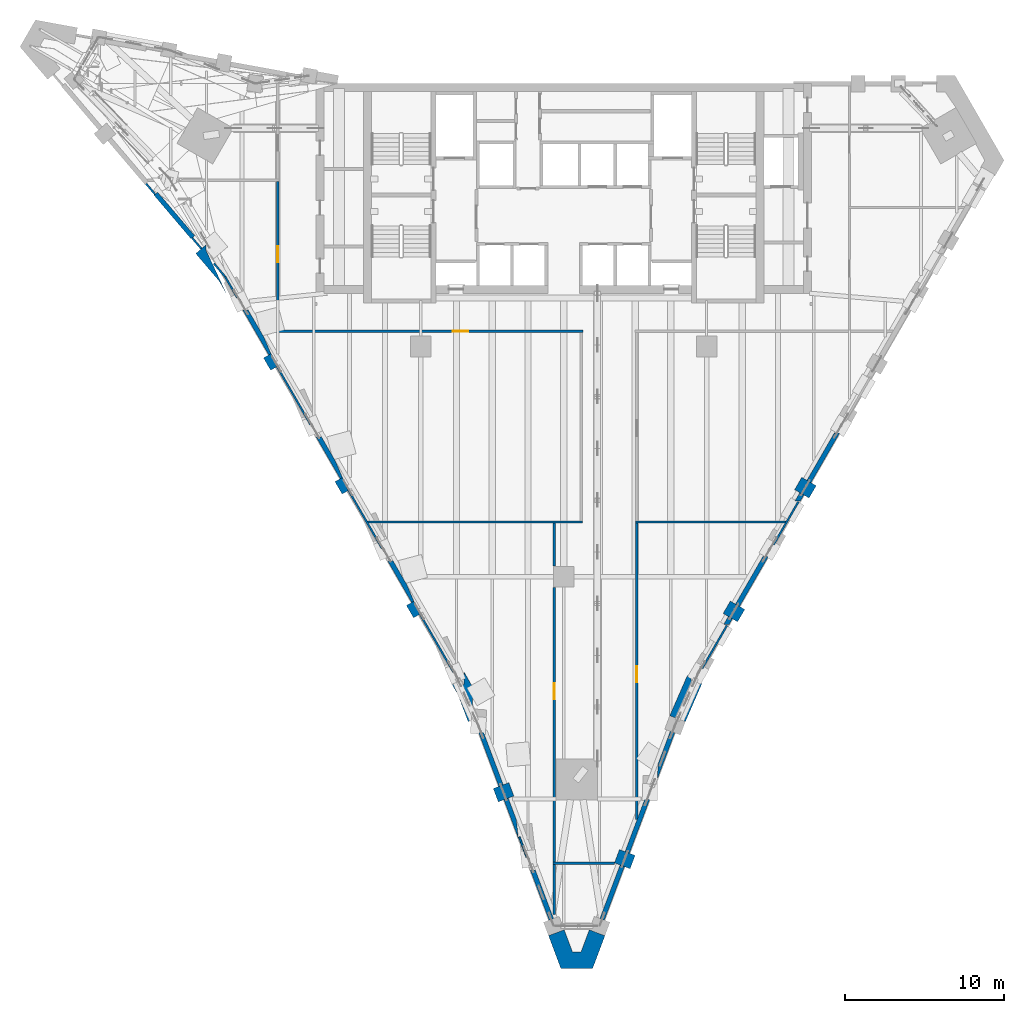
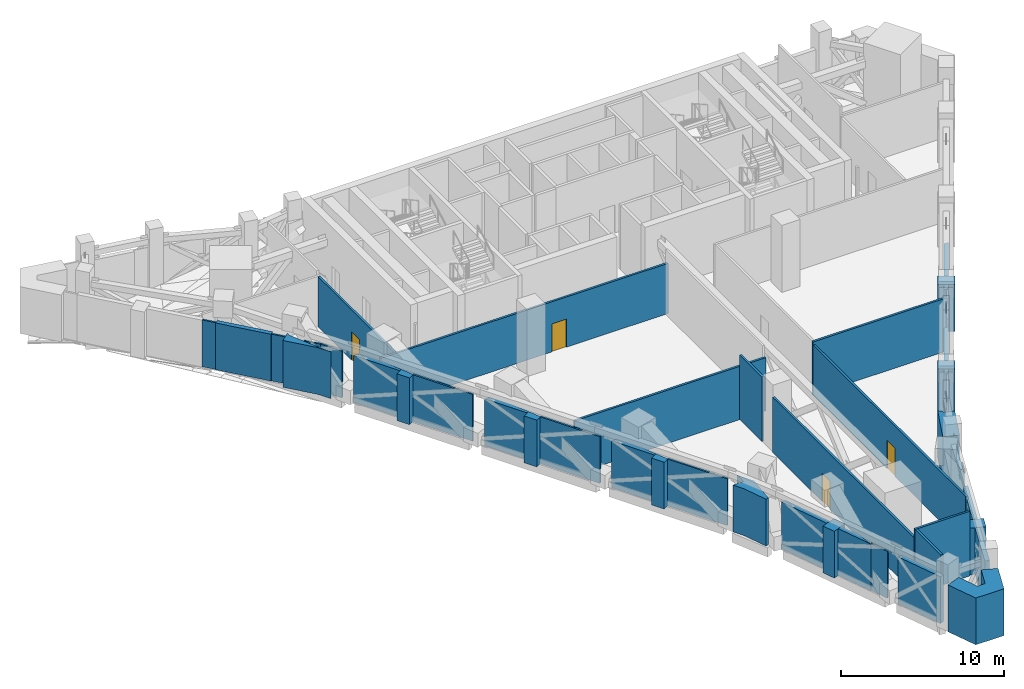
# One storey, part 9 of 22: 44 walls, 4 doors, 4 openings.
"""IFC4 building model written with IfcOpenShell, lengths in metres."""

import ifcopenshell
import ifcopenshell.guid

model = None  # the IFC model being written
_history = None  # IfcOwnerHistory: only IFC2X3 demands one
_inside = {}  # id of a spatial element -> (the spatial element, [elements in it])
_under = {}  # id of a project, library or spatial element -> (it, [spatial elements below it])
_declared = {}  # id of a project -> (the project, [libraries it declares])
_typed = {}  # id of a type object -> (the type object, [elements of that type])
_made_of = {}  # id of a material, layer set ... -> (it, [elements and type objects made of it])


def new_model(schema):
    """Start an empty IFC model of exactly this schema.

    Asked for "IFC4X3", IfcOpenShell would pick the latest addendum, in which some entities
    have other attributes; the version numbers below select the first issue.
    IFC2X3 requires an IfcOwnerHistory on every rooted entity: one is made here for all.
    """
    global model, _history
    if schema == "IFC4X3":
        model = ifcopenshell.file(schema_version=(4, 3, 0, 0))
    else:
        model = ifcopenshell.file(schema=schema)
    _inside.clear()
    _under.clear()
    _declared.clear()
    _typed.clear()
    _made_of.clear()
    _history = None
    if model.schema == "IFC2X3":
        org = make("IfcOrganization", Name="unknown")
        user = make(
            "IfcPersonAndOrganization",
            ThePerson=make("IfcPerson", FamilyName="unknown"),
            TheOrganization=org,
        )
        app = make(
            "IfcApplication",
            ApplicationDeveloper=org,
            Version="unknown",
            ApplicationFullName="unknown",
            ApplicationIdentifier="unknown",
        )
        _history = make(
            "IfcOwnerHistory",
            OwningUser=user,
            OwningApplication=app,
            ChangeAction="ADDED",
            CreationDate=0,
        )
    return model


def make(cls, **values):
    """One entity of the class cls with the attributes given. An attribute that is None is left unset."""
    return model.create_entity(
        cls, **{name: value for name, value in values.items() if value is not None}
    )


def rooted(cls, **values):
    """An entity with a GlobalId (a new one), such as an element, a storey or a relation."""
    return make(cls, GlobalId=ifcopenshell.guid.new(), OwnerHistory=_history, **values)


def si_unit(unit_type, name, prefix=None):
    """IfcSIUnit, for example si_unit("LENGTHUNIT", "METRE", prefix="MILLI")."""
    return make("IfcSIUnit", UnitType=unit_type, Prefix=prefix, Name=name)


def assignment(units):
    """IfcUnitAssignment: the units of a project."""
    return None if units is None else make("IfcUnitAssignment", Units=units)


def point(xyz):
    """IfcCartesianPoint."""
    return None if xyz is None else make("IfcCartesianPoint", Coordinates=xyz)


def direction(xyz):
    """IfcDirection."""
    return None if xyz is None else make("IfcDirection", DirectionRatios=xyz)


def frame(location, z_axis=None, x_axis=None):
    """IfcAxis2Placement3D, a coordinate frame: its origin and axes. An axis left out is left unset."""
    return make(
        "IfcAxis2Placement3D",
        Location=point(location),
        Axis=direction(z_axis),
        RefDirection=direction(x_axis),
    )


def frame_2d(location, x_axis=None):
    """IfcAxis2Placement2D, a coordinate frame in the plane: its origin and x axis."""
    return make(
        "IfcAxis2Placement2D", Location=point(location), RefDirection=direction(x_axis)
    )


def origin():
    """The frame at (0, 0, 0) with its axes left unset."""
    return frame((0.0, 0.0, 0.0))


def place(relative_to, where):
    """IfcLocalPlacement: puts the frame where relative to a parent placement (None: the world)."""
    return make(
        "IfcLocalPlacement", PlacementRelTo=relative_to, RelativePlacement=where
    )


def context(
    kind, dimensions, precision=None, world=None, true_north=None, identifier=None
):
    """IfcGeometricRepresentationContext, for example the 3D "Model" context."""
    return make(
        "IfcGeometricRepresentationContext",
        ContextIdentifier=identifier,
        ContextType=kind,
        CoordinateSpaceDimension=dimensions,
        Precision=precision,
        WorldCoordinateSystem=world,
        TrueNorth=true_north,
    )


def subcontext(parent, identifier, kind, view, scale=None):
    """IfcGeometricRepresentationSubContext, for example "Body" below "Model"."""
    return make(
        "IfcGeometricRepresentationSubContext",
        ContextIdentifier=identifier,
        ContextType=kind,
        ParentContext=parent,
        TargetScale=scale,
        TargetView=view,
    )


def project(units=None, contexts=None):
    """IfcProject with its units and contexts."""
    return rooted(
        "IfcProject",
        Name="project",
        RepresentationContexts=contexts,
        UnitsInContext=assignment(units),
    )


def spatial(cls, under=None, at=None, **own):
    """A site, building, storey or space (cls), placed at a placement, below another one or the project."""
    s = rooted(cls, ObjectPlacement=at, **own)
    if under is not None:
        _under.setdefault(under.id(), (under, []))[1].append(s)
    return s


def polyline(points):
    """IfcPolyline through the points."""
    return make("IfcPolyline", Points=[point(p) for p in points])


def profile(cls, at=None, kind="AREA", **sizes):
    """A parametric profile (cls). Its sizes go by their IFC names, for example OverallWidth=200.0."""
    return make(cls, ProfileType=kind, Position=at, **sizes)


def rectangle(**sizes):
    """IfcRectangleProfileDef."""
    return profile("IfcRectangleProfileDef", **sizes)


def outline(outer, holes=None, kind="AREA"):
    """IfcArbitraryClosedProfileDef: a profile drawn as a closed curve; with holes, ...WithVoids."""
    if holes is None:
        return make("IfcArbitraryClosedProfileDef", ProfileType=kind, OuterCurve=outer)
    return make(
        "IfcArbitraryProfileDefWithVoids",
        ProfileType=kind,
        OuterCurve=outer,
        InnerCurves=holes,
    )


def extrude(swept, where, along, depth):
    """IfcExtrudedAreaSolid: the profile swept, set in the frame where, extruded along a direction by depth."""
    return make(
        "IfcExtrudedAreaSolid",
        SweptArea=swept,
        Position=where,
        ExtrudedDirection=direction(along),
        Depth=depth,
    )


def shape(context_of_items, identifier, shape_type, items):
    """IfcShapeRepresentation: the items that make up one representation, for example the "Body"."""
    return make(
        "IfcShapeRepresentation",
        ContextOfItems=context_of_items,
        RepresentationIdentifier=identifier,
        RepresentationType=shape_type,
        Items=items,
    )


def material(Name=None, Category=None):
    """IfcMaterial."""
    return make("IfcMaterial", Name=Name, Category=Category)


def layer(
    of_material, thickness, ventilated=None, Name=None, Category=None, Priority=None
):
    """IfcMaterialLayer: one layer of a wall or slab, of a material (None: an air gap)."""
    return make(
        "IfcMaterialLayer",
        Material=of_material,
        LayerThickness=thickness,
        IsVentilated=ventilated,
        Name=Name,
        Category=Category,
        Priority=Priority,
    )


def layer_set(layers, Name=None):
    """IfcMaterialLayerSet."""
    return make("IfcMaterialLayerSet", MaterialLayers=layers, LayerSetName=Name)


def made_of(thing, what):
    """Note that an element or type object is made of a material, layer set ...; save() writes the relation."""
    if what is not None:
        _made_of.setdefault(what.id(), (what, []))[1].append(thing)
    return thing


def type_object(cls, material=None, **own):
    """A type object (cls), such as IfcWallType, which elements share."""
    return made_of(rooted(cls, **own), material)


def element(
    cls,
    number,
    at=None,
    inside=None,
    cuts=None,
    type_object=None,
    material=None,
    context=None,
    identifier="Body",
    shape_type=None,
    held_by="IfcProductDefinitionShape",
    body=None,
    shapes=None,
    **own,
):
    """One element of the class cls, such as IfcWall. Its Tag is "e" and its number.

    at: its placement. inside: the storey or other place that contains it. cuts: it is an
    opening in that element (IfcRelVoidsElement). A single representation is given by context,
    identifier, shape_type and body (its items); several are given by shapes. held_by: the class
    of the entity that holds the representations. save() writes the other relations.
    """
    e = rooted(cls, Tag="e%d" % number, ObjectPlacement=at, **own)
    if body is not None:
        shapes = [shape(context, identifier, shape_type, body)]
    if shapes is not None:
        e.Representation = make(held_by, Representations=shapes)
    if inside is not None:
        _inside.setdefault(inside.id(), (inside, []))[1].append(e)
    if cuts is not None:
        rooted(
            "IfcRelVoidsElement", RelatingBuildingElement=cuts, RelatedOpeningElement=e
        )
    if type_object is not None:
        _typed.setdefault(type_object.id(), (type_object, []))[1].append(e)
    return made_of(e, material)


def fill(opening, filler):
    """IfcRelFillsElement: the door or window that sits in an opening."""
    return rooted(
        "IfcRelFillsElement",
        RelatingOpeningElement=opening,
        RelatedBuildingElement=filler,
    )


def aggregate(whole, parts):
    """IfcRelAggregates: a whole, such as a stair, and the parts it consists of."""
    return rooted("IfcRelAggregates", RelatingObject=whole, RelatedObjects=parts)


def save(model, path):
    """Write the relations noted so far, then the file.

    IfcRelAggregates (storeys below a building ...), IfcRelContainedInSpatialStructure (elements
    in a storey), IfcRelDefinesByType, IfcRelAssociatesMaterial and IfcRelDeclares: one each for
    every whole, place, type object, material and project.
    """
    for whole, parts in _under.values():
        aggregate(whole, parts)
    for where, things in _inside.values():
        rooted(
            "IfcRelContainedInSpatialStructure",
            RelatedElements=things,
            RelatingStructure=where,
        )
    for kind, things in _typed.values():
        rooted("IfcRelDefinesByType", RelatedObjects=things, RelatingType=kind)
    for what, things in _made_of.values():
        rooted("IfcRelAssociatesMaterial", RelatedObjects=things, RelatingMaterial=what)
    for by, libraries in _declared.values():
        rooted("IfcRelDeclares", RelatingContext=by, RelatedDefinitions=libraries)
    model.write(path)


model = new_model("IFC4")

# Units and contexts
model_context = context("Model", 3, precision=1e-05, world=origin(), true_north=direction((0.0, 1.0)))
body_context = subcontext(model_context, "Body", "Model", "MODEL_VIEW")
ifc_project = project(units=[si_unit("LENGTHUNIT", "METRE"), si_unit("AREAUNIT", "SQUARE_METRE"), si_unit("VOLUMEUNIT", "CUBIC_METRE"), si_unit("PLANEANGLEUNIT", "RADIAN"), si_unit("MASSUNIT", "GRAM", prefix="KILO")], contexts=[model_context])

# Site, building, storey
site_placement = place(None, origin())
site = spatial("IfcSite", under=ifc_project, at=site_placement, CompositionType="ELEMENT")
building_placement = place(site_placement, origin())
building = spatial("IfcBuilding", under=site, at=building_placement, Name="Calabash Gate Tower", CompositionType="ELEMENT")
storey_placement = place(building_placement, frame((0.0, 0.0, 191.39990234375)))
storey = spatial("IfcBuildingStorey", under=building, at=storey_placement, Name="L45", CompositionType="ELEMENT", Elevation=191.39990234375)

# Walls
ifc_material_1 = material(Name="Terracotta brick masonry, exposed face", Category="masonry")
ifc_layer_1 = layer(ifc_material_1, 1.050048828125)
ifc_layer_set_1 = layer_set([ifc_layer_1], Name="Brick end wall 1050")
wall_type_1 = type_object("IfcWallType", Name="Brick end wall 1050", PredefinedType="SOLIDWALL", material=ifc_layer_set_1)
wall_1_placement = place(storey_placement, origin())
element("IfcWall", 1, at=wall_1_placement, inside=storey, type_object=wall_type_1, Name="Brick pier L45 SW0.1", PredefinedType="SOLIDWALL", context=body_context, shape_type="SweptSolid", body=[
    extrude(outline(polyline([(-18.902587890625, 1.78173828125), (-18.45263671875, 1.002197265625), (-18.073486328125, 1.22119140625), (-18.432373046875, 2.05322265625), (-18.902587890625, 1.78173828125)])), origin(), (0.0, 0.0, 1.0), 3.5),
])
wall_2_placement = place(storey_placement, origin())
element("IfcWall", 2, at=wall_2_placement, inside=storey, type_object=wall_type_1, Name="Brick pier L45 SW0.3", PredefinedType="SOLIDWALL", context=body_context, shape_type="SweptSolid", body=[
    extrude(outline(polyline([(-14.402587890625, -6.0126953125), (-13.95263671875, -6.7919921875), (-13.5732421875, -6.572998046875), (-13.93212890625, -5.740966796875), (-14.402587890625, -6.0126953125)])), origin(), (0.0, 0.0, 1.0), 3.5),
])
wall_3_placement = place(storey_placement, origin())
element("IfcWall", 3, at=wall_3_placement, inside=storey, type_object=wall_type_1, Name="Brick pier L45 SW0.5", PredefinedType="SOLIDWALL", context=body_context, shape_type="SweptSolid", body=[
    extrude(outline(polyline([(-9.902587890625, -13.806884765625), (-9.45263671875, -14.586181640625), (-9.073486328125, -14.3671875), (-9.43212890625, -13.53515625), (-9.902587890625, -13.806884765625)])), origin(), (0.0, 0.0, 1.0), 3.5),
])
for number, where, z_axis, x_axis, name in (
    (4, (-3.294921875, -25.38671875, 0.0), (0.0, 0.0, 1.0), (-0.936080509118, -0.351785844584, 0.0), "Brick pier L45 wedge1.1"),
    (5, (3.35546875, -29.598876953125, 0.0), (0.0, 0.0, 1.0), (0.936003928089, -0.351989554676, 0.0), "Brick pier L45 wedge3.1"),
):
    element("IfcWall", number, at=place(storey_placement, frame(where, z_axis=z_axis, x_axis=x_axis)), inside=storey, type_object=wall_type_1, Name=name, PredefinedType="SOLIDWALL", context=body_context, shape_type="SweptSolid", body=[
        extrude(rectangle(XDim=1.050048828125, YDim=0.89990234375, at=frame_2d((0.52490234375, 0.0))), origin(), (0.0, 0.0, 1.0), 3.5),
    ])
for number, where, z_axis, x_axis, name in (
    (6, (11.17626953125, -14.447509765625, 0.0), (0.0, 0.0, 1.0), (-0.866030680601, 0.499990860175, 0.0), "Brick pier L45 SE4.1"),
    (7, (15.67626953125, -6.6533203125, 0.0), (0.0, 0.0, 1.0), (-0.866030680601, 0.499990860175, 0.0), "Brick pier L45 SE4.3"),
):
    element("IfcWall", number, at=place(storey_placement, frame(where, z_axis=z_axis, x_axis=x_axis)), inside=storey, type_object=wall_type_1, Name=name, PredefinedType="SOLIDWALL", context=body_context, shape_type="SweptSolid", body=[
        extrude(rectangle(XDim=1.0498046875, YDim=0.89990234375, at=frame_2d((0.52490234375, 0.0))), origin(), (0.0, 0.0, 1.0), 3.5),
    ])
wall_4_placement = place(storey_placement, origin())
element("IfcWall", 8, at=wall_4_placement, inside=storey, type_object=wall_type_1, Name="Brick end wall L45 1", PredefinedType="SOLIDWALL", context=body_context, shape_type="SweptSolid", body=[
    extrude(outline(polyline([(-5.67919921875, -19.043212890625), (-6.26708984375, -18.00390625), (-6.26708984375, -18.7890625), (-7.026123046875, -18.7890625), (-6.654296875, -19.432861328125), (-6.019287109375, -21.12255859375), (-5.820068359375, -21.047607421875), (-5.67919921875, -19.043212890625)])), origin(), (0.0, 0.0, 1.0), 3.5),
])
wall_5_placement = place(storey_placement, origin())
element("IfcWall", 9, at=wall_5_placement, inside=storey, type_object=wall_type_1, Name="Brick end wall L45 2", PredefinedType="SOLIDWALL", context=body_context, shape_type="SweptSolid", body=[
    extrude(outline(polyline([(0.02978515625, -34.232421875), (-0.953125, -34.60205078125), (-0.175048828125, -36.67236328125), (1.818603515625, -36.67236328125), (2.596923828125, -34.601806640625), (1.614013671875, -34.232421875), (1.091552734375, -35.622314453125), (0.552001953125, -35.622314453125), (0.02978515625, -34.232421875)])), origin(), (0.0, 0.0, 1.0), 3.5),
])
wall_6_placement = place(storey_placement, origin())
element("IfcWall", 10, at=wall_6_placement, inside=storey, type_object=wall_type_1, Name="Brick end wall L45 3", PredefinedType="SOLIDWALL", context=body_context, shape_type="SweptSolid", body=[
    extrude(outline(polyline([(6.68017578125, -20.753173828125), (7.6630859375, -21.12255859375), (8.701416015625, -18.734375), (8.02197265625, -18.531982421875), (8.02197265625, -18.34228515625), (7.7919921875, -18.20947265625), (6.68017578125, -20.753173828125)])), origin(), (0.0, 0.0, 1.0), 3.5),
])
wall_7_placement = place(storey_placement, origin())
element("IfcWall", 11, at=wall_7_placement, inside=storey, type_object=wall_type_1, Name="Brick end wall L45 7", PredefinedType="SOLIDWALL", context=body_context, shape_type="SweptSolid", body=[
    extrude(outline(polyline([(-22.533935546875, 8.893798828125), (-23.1689453125, 8.35400390625), (-21.69873046875, 6.62451171875), (-21.231689453125, 5.81591796875), (-22.533935546875, 8.5869140625), (-22.533935546875, 8.893798828125)])), origin(), (0.0, 0.0, 1.0), 3.5),
])
ifc_material_2 = material(Name="Gypsum board on steel studs, mineral wool", Category="steel")
ifc_layer_2 = layer(ifc_material_2, 0.14990234375)
ifc_layer_set_2 = layer_set([ifc_layer_2], Name="Partition 150 gypsum board")
wall_type_2 = type_object("IfcWallType", Name="Partition 150 gypsum board", PredefinedType="PARTITIONING", material=ifc_layer_set_2)
wall_8_placement = place(storey_placement, frame((-0.60009765625, -33.271484375, 0.0), z_axis=(0.0, 0.0, 1.0), x_axis=(0.0, 1.0, 0.0)))
element("IfcWall", 12, at=wall_8_placement, inside=storey, type_object=wall_type_2, Name="Partition", PredefinedType="PARTITIONING", context=body_context, shape_type="SweptSolid", body=[
    extrude(rectangle(XDim=3.149169921875, YDim=0.14990234375, at=frame_2d((1.57470703125, 0.0))), origin(), (0.0, 0.0, 1.0), 4.830078125),
])
wall_9_placement = place(storey_placement, frame((-0.675048828125, -30.04736328125, 0.0), z_axis=(0.0, 0.0, 1.0), x_axis=(1.0, 0.0, 0.0)))
element("IfcWall", 13, at=wall_9_placement, inside=storey, type_object=wall_type_2, Name="Partition", PredefinedType="PARTITIONING", context=body_context, shape_type="SweptSolid", body=[
    extrude(rectangle(XDim=3.8876953125, YDim=0.14990234375, at=frame_2d((1.94384765625, 0.0))), origin(), (0.0, 0.0, 1.0), 4.830078125),
])

# Wall, opening, door
wall_10_placement = place(storey_placement, frame((-0.60009765625, -29.972412109375, 0.0), z_axis=(0.0, 0.0, 1.0), x_axis=(0.0, 1.0, 0.0)))
wall_10 = element("IfcWall", 14, at=wall_10_placement, inside=storey, type_object=wall_type_2, Name="Partition", PredefinedType="PARTITIONING", context=body_context, shape_type="SweptSolid", body=[
    extrude(rectangle(XDim=17.302490234375, YDim=0.14990234375, at=frame_2d((8.6513671875, 0.0))), origin(), (0.0, 0.0, 1.0), 4.130126953125),
])
opening_1_placement = place(wall_10_placement, frame((10.27490234375, 0.0, 0.0)))
opening_1 = element("IfcOpeningElement", 15, at=opening_1_placement, cuts=wall_10, Name="Opening L45-025", PredefinedType="OPENING", context=body_context, shape_type="SweptSolid", body=[
    extrude(rectangle(XDim=1.0, YDim=2.10009765625, at=frame_2d((0.5, 1.050048828125))), frame((0.0, 0.0849609375, 0.0), z_axis=(0.0, -1.0, 0.0), x_axis=(1.0, 0.0, 0.0)), (0.0, 0.0, 1.0), 0.169921875),
])
ifc_material_3 = material(Name="Steel fire door set with fire-resisting glazing", Category="steel")
door_type_1 = type_object("IfcDoorType", Name="Fire door D11 1000x2100 FD60", OperationType="NOTDEFINED", PredefinedType="DOOR", material=ifc_material_3)
door_1_placement = place(opening_1_placement, origin())
door_1 = element("IfcDoor", 16, at=door_1_placement, inside=storey, type_object=door_type_1, Name="Chiller Plant Room door", OperationType="SINGLE_SWING_RIGHT", OverallHeight=2.10009765625, OverallWidth=1.0, PredefinedType="DOOR", context=body_context, shape_type="SweptSolid", body=[
    extrude(rectangle(XDim=1.0, YDim=2.10009765625, at=frame_2d((0.5, 1.050048828125))), frame((0.0, 0.02490234375, 0.0), z_axis=(0.0, -1.0, 0.0), x_axis=(1.0, 0.0, 0.0)), (0.0, 0.0, 1.0), 0.050048828125),
])
fill(opening_1, door_1)

wall_11_placement = place(storey_placement, frame((4.60009765625, -27.296630859375, 0.0), z_axis=(0.0, 0.0, 1.0), x_axis=(0.0, 1.0, 0.0)))
wall_11 = element("IfcWall", 17, at=wall_11_placement, inside=storey, type_object=wall_type_2, Name="Partition", PredefinedType="PARTITIONING", context=body_context, shape_type="SweptSolid", body=[
    extrude(rectangle(XDim=18.67431640625, YDim=0.14990234375, at=frame_2d((9.337158203125, 0.0))), origin(), (0.0, 0.0, 1.0), 3.752197265625),
])
opening_2_placement = place(wall_11_placement, frame((8.6494140625, 0.0, 0.0)))
opening_2 = element("IfcOpeningElement", 18, at=opening_2_placement, cuts=wall_11, Name="Opening L45-027", PredefinedType="OPENING", context=body_context, shape_type="SweptSolid", body=[
    extrude(rectangle(XDim=1.0, YDim=2.10009765625, at=frame_2d((0.5, 1.050048828125))), frame((0.0, 0.0849609375, 0.0), z_axis=(0.0, -1.0, 0.0), x_axis=(1.0, 0.0, 0.0)), (0.0, 0.0, 1.0), 0.169921875),
])
door_2_placement = place(opening_2_placement, origin())
door_2 = element("IfcDoor", 19, at=door_2_placement, inside=storey, type_object=door_type_1, Name="Heat Exchanger Plant Room door", OperationType="SINGLE_SWING_RIGHT", OverallHeight=2.10009765625, OverallWidth=1.0, PredefinedType="DOOR", context=body_context, shape_type="SweptSolid", body=[
    extrude(rectangle(XDim=1.0, YDim=2.10009765625, at=frame_2d((0.5, 1.050048828125))), frame((0.0, 0.02490234375, 0.0), z_axis=(0.0, -1.0, 0.0), x_axis=(1.0, 0.0, 0.0)), (0.0, 0.0, 1.0), 0.050048828125),
])
fill(opening_2, door_2)

# Walls
wall_12_placement = place(storey_placement, frame((-0.60009765625, -11.330078125, 0.0), z_axis=(0.0, 0.0, 1.0), x_axis=(0.0, 1.0, 0.0)))
element("IfcWall", 20, at=wall_12_placement, inside=storey, type_object=wall_type_2, Name="Partition", PredefinedType="PARTITIONING", context=body_context, shape_type="SweptSolid", body=[
    extrude(rectangle(XDim=2.707763671875, YDim=0.14990234375, at=frame_2d((1.35400390625, 0.0))), origin(), (0.0, 0.0, 1.0), 4.830078125),
])
wall_13_placement = place(storey_placement, frame((-12.35302734375, -8.54736328125, 0.0), z_axis=(0.0, 0.0, 1.0), x_axis=(1.0, 0.0, 0.0)))
element("IfcWall", 21, at=wall_13_placement, inside=storey, type_object=wall_type_2, Name="Partition", PredefinedType="PARTITIONING", context=body_context, shape_type="SweptSolid", body=[
    extrude(rectangle(XDim=13.528076171875, YDim=0.14990234375, at=frame_2d((6.76416015625, 0.0))), origin(), (0.0, 0.0, 1.0), 3.984130859375),
])
wall_14_placement = place(storey_placement, frame((4.52490234375, -8.54736328125, 0.0), z_axis=(0.0, 0.0, 1.0), x_axis=(1.0, 0.0, 0.0)))
element("IfcWall", 22, at=wall_14_placement, inside=storey, type_object=wall_type_2, Name="Partition", PredefinedType="PARTITIONING", context=body_context, shape_type="SweptSolid", body=[
    extrude(rectangle(XDim=9.4716796875, YDim=0.14990234375, at=frame_2d((4.73583984375, 0.0))), origin(), (0.0, 0.0, 1.0), 3.984130859375),
])

# Wall, opening, door
wall_15_placement = place(storey_placement, frame((-19.10791015625, 3.45263671875, 0.0), z_axis=(0.0, 0.0, 1.0), x_axis=(1.0, 0.0, 0.0)))
wall_15 = element("IfcWall", 23, at=wall_15_placement, inside=storey, type_object=wall_type_2, Name="Partition", PredefinedType="PARTITIONING", context=body_context, shape_type="SweptSolid", body=[
    extrude(rectangle(XDim=20.31298828125, YDim=0.14990234375, at=frame_2d((10.156494140625, 0.0))), origin(), (0.0, 0.0, 1.0), 3.752197265625),
])
opening_3_placement = place(wall_15_placement, frame((12.10791015625, 0.0, 0.0)))
opening_3 = element("IfcOpeningElement", 24, at=opening_3_placement, cuts=wall_15, Name="Opening L45-024", PredefinedType="OPENING", context=body_context, shape_type="SweptSolid", body=[
    extrude(rectangle(XDim=1.0, YDim=2.10009765625, at=frame_2d((0.5, 1.050048828125))), frame((0.0, 0.0849609375, 0.0), z_axis=(0.0, -1.0, 0.0), x_axis=(1.0, 0.0, 0.0)), (0.0, 0.0, 1.0), 0.169921875),
])
ifc_material_4 = material(Name="Steel fire door set with fire-resisting glazing", Category="steel")
door_type_2 = type_object("IfcDoorType", Name="Fire door D12 1000x2100 FD90", OperationType="NOTDEFINED", PredefinedType="DOOR", material=ifc_material_4)
door_3_placement = place(opening_3_placement, origin())
door_3 = element("IfcDoor", 25, at=door_3_placement, inside=storey, type_object=door_type_2, Name="Refuge Area W door", OperationType="SINGLE_SWING_RIGHT", OverallHeight=2.10009765625, OverallWidth=1.0, PredefinedType="DOOR", context=body_context, shape_type="SweptSolid", body=[
    extrude(rectangle(XDim=1.0, YDim=2.10009765625, at=frame_2d((0.5, 1.050048828125))), frame((0.0, 0.02490234375, 0.0), z_axis=(0.0, -1.0, 0.0), x_axis=(1.0, 0.0, 0.0)), (0.0, 0.0, 1.0), 0.050048828125),
])
fill(opening_3, door_3)

wall_16_placement = place(storey_placement, frame((-18.0, 3.527587890625, 0.0), z_axis=(0.0, 0.0, 1.0), x_axis=(0.0, 1.0, 0.0)))
wall_16 = element("IfcWall", 26, at=wall_16_placement, inside=storey, type_object=wall_type_2, Name="Partition", PredefinedType="PARTITIONING", context=body_context, shape_type="SweptSolid", body=[
    extrude(rectangle(XDim=9.363037109375, YDim=0.14990234375, at=frame_2d((4.681640625, 0.0))), origin(), (0.0, 0.0, 1.0), 3.752197265625),
])
opening_4_placement = place(wall_16_placement, frame((4.27490234375, 0.0, 0.0)))
opening_4 = element("IfcOpeningElement", 27, at=opening_4_placement, cuts=wall_16, Name="Opening L45-021", PredefinedType="OPENING", context=body_context, shape_type="SweptSolid", body=[
    extrude(rectangle(XDim=1.0, YDim=2.10009765625, at=frame_2d((0.5, 1.050048828125))), frame((0.0, 0.0849609375, 0.0), z_axis=(0.0, -1.0, 0.0), x_axis=(1.0, 0.0, 0.0)), (0.0, 0.0, 1.0), 0.169921875),
])
door_4_placement = place(opening_4_placement, origin())
door_4 = element("IfcDoor", 28, at=door_4_placement, inside=storey, type_object=door_type_1, Name="Electrical Switch Room door", OperationType="SINGLE_SWING_RIGHT", OverallHeight=2.10009765625, OverallWidth=1.0, PredefinedType="DOOR", context=body_context, shape_type="SweptSolid", body=[
    extrude(rectangle(XDim=1.0, YDim=2.10009765625, at=frame_2d((0.5, 1.050048828125))), frame((0.0, 0.02490234375, 0.0), z_axis=(0.0, -1.0, 0.0), x_axis=(1.0, 0.0, 0.0)), (0.0, 0.0, 1.0), 0.050048828125),
])
fill(opening_4, door_4)

# Walls
ifc_material_5 = material(Name="Terracotta brick masonry, perforated", Category="masonry")
ifc_layer_3 = layer(ifc_material_5, 0.1201171875)
ifc_layer_set_3 = layer_set([ifc_layer_3], Name="Terracotta jaali cladding A 120")
wall_type_3 = type_object("IfcWallType", Name="Terracotta jaali cladding A 120", PredefinedType="SOLIDWALL", material=ifc_layer_set_3)
wall_17_placement = place(storey_placement, frame((-21.31982421875, 6.898193359375, 0.0), z_axis=(0.0, 0.0, 1.0), x_axis=(0.499991248344, -0.866030456496, 0.0)))
element("IfcWall", 29, at=wall_17_placement, inside=storey, type_object=wall_type_3, Name="Jaali cladding L45 SW0.c1", PredefinedType="SOLIDWALL", context=body_context, shape_type="SweptSolid", body=[
    extrude(rectangle(XDim=1.52001953125, YDim=0.1201171875, at=frame_2d((0.760009765625, 0.0))), origin(), (0.0, 0.0, 1.0), 3.5),
])
wall_18_placement = place(storey_placement, frame((-18.0546875, 1.2431640625, 0.0), z_axis=(0.0, 0.0, 1.0), x_axis=(0.499990325971, -0.866030989016, 0.0)))
element("IfcWall", 30, at=wall_18_placement, inside=storey, type_object=wall_type_3, Name="Jaali cladding L45 SW0.c2", PredefinedType="SOLIDWALL", context=body_context, shape_type="SweptSolid", body=[
    extrude(rectangle(XDim=4.23388671875, YDim=0.1201171875, at=frame_2d((2.116943359375, 0.0))), origin(), (0.0, 0.0, 1.0), 3.5),
])
wall_19_placement = place(storey_placement, frame((-11.438720703125, -10.21630859375, 0.0), z_axis=(0.0, 0.0, 1.0), x_axis=(-0.499992114976, 0.866029956157, 0.0)))
element("IfcWall", 31, at=wall_19_placement, inside=storey, type_object=wall_type_3, Name="Jaali cladding L45 SW0.c3", PredefinedType="SOLIDWALL", context=body_context, shape_type="SweptSolid", body=[
    extrude(rectangle(XDim=4.23193359375, YDim=0.1201171875, at=frame_2d((2.115966796875, 0.0))), origin(), (0.0, 0.0, 1.0), 3.5),
])
wall_20_placement = place(storey_placement, frame((-6.93798828125, -18.01171875, 0.0), z_axis=(0.0, 0.0, 1.0), x_axis=(-0.499997015914, 0.866027126641, 0.0)))
element("IfcWall", 32, at=wall_20_placement, inside=storey, type_object=wall_type_3, Name="Jaali cladding L45 SW0.c4", PredefinedType="SOLIDWALL", context=body_context, shape_type="SweptSolid", body=[
    extrude(rectangle(XDim=4.2333984375, YDim=0.1201171875, at=frame_2d((2.11669921875, 0.0))), origin(), (0.0, 0.0, 1.0), 3.5),
])
wall_21_placement = place(storey_placement, frame((-2.322021484375, -29.637939453125, 0.0), z_axis=(0.0, 0.0, 1.0), x_axis=(-0.351802181297, 0.9360743695, 0.0)))
element("IfcWall", 33, at=wall_21_placement, inside=storey, type_object=wall_type_3, Name="Jaali cladding L45 wedge1.c5", PredefinedType="SOLIDWALL", context=body_context, shape_type="SweptSolid", body=[
    extrude(rectangle(XDim=1.340087890625, YDim=0.1201171875, at=frame_2d((0.669921875, 0.0))), origin(), (0.0, 0.0, 1.0), 3.5),
])
for number, where, z_axis, x_axis, name in (
    (34, (8.716552734375, -17.7783203125, 0.0), (0.0, 0.0, 1.0), (0.499933700656, 0.866063678345, 0.0), "Jaali cladding L45 SE4.c6"),
    (35, (13.21630859375, -9.984130859375, 0.0), (0.0, 0.0, 1.0), (0.499992114976, 0.866029956157, 0.0), "Jaali cladding L45 SE4.c7"),
):
    element("IfcWall", number, at=place(storey_placement, frame(where, z_axis=z_axis, x_axis=x_axis)), inside=storey, type_object=wall_type_3, Name=name, PredefinedType="SOLIDWALL", context=body_context, shape_type="SweptSolid", body=[
        extrude(rectangle(XDim=3.134765625, YDim=0.1201171875, at=frame_2d((1.5673828125, 0.0))), origin(), (0.0, 0.0, 1.0), 3.5),
    ])
for number, where, z_axis, x_axis, name in (
    (36, (-25.73193359375, 12.086669921875, 0.0), (0.0, 0.0, 1.0), (-0.647760669318, 0.761843891676, 0.0), "Jaali cladding L45 wedge9.c16"),
    (37, (-22.8173828125, 8.658203125, 0.0), (0.0, 0.0, 1.0), (-0.647600300373, 0.761980216906, 0.0), "Jaali cladding L45 wedge9.c17"),
):
    element("IfcWall", number, at=place(storey_placement, frame(where, z_axis=z_axis, x_axis=x_axis)), inside=storey, type_object=wall_type_3, Name=name, PredefinedType="SOLIDWALL", context=body_context, shape_type="SweptSolid", body=[
        extrude(rectangle(XDim=0.8837890625, YDim=0.1201171875, at=frame_2d((0.44189453125, 0.0))), origin(), (0.0, 0.0, 1.0), 3.5),
    ])
wall_22_placement = place(storey_placement, frame((-21.3134765625, 6.889404296875, 0.0), z_axis=(0.0, 0.0, 1.0), x_axis=(-0.64782151166, 0.761792156057, 0.0)))
element("IfcWall", 38, at=wall_22_placement, inside=storey, type_object=wall_type_3, Name="Jaali cladding L45 wedge9.c18", PredefinedType="SOLIDWALL", context=body_context, shape_type="SweptSolid", body=[
    extrude(rectangle(XDim=1.105224609375, YDim=0.1201171875, at=frame_2d((0.552734375, 0.0))), origin(), (0.0, 0.0, 1.0), 3.5),
])
ifc_material_6 = material(Name="Terracotta louvre blades in an aluminium frame", Category="masonry")
ifc_layer_4 = layer(ifc_material_6, 0.300048828125)
ifc_layer_set_4 = layer_set([ifc_layer_4], Name="Terracotta louvre wall 300")
wall_type_4 = type_object("IfcWallType", Name="Terracotta louvre wall 300", PredefinedType="ELEMENTEDWALL", material=ifc_layer_set_4)
wall_23_placement = place(storey_placement, origin())
element("IfcWall", 39, at=wall_23_placement, inside=storey, type_object=wall_type_4, Name="LOUVRE L45 SW0.1", PredefinedType="ELEMENTEDWALL", context=body_context, shape_type="SweptSolid", body=[
    extrude(outline(polyline([(-18.577880859375, 1.96923828125), (-18.432373046875, 2.05322265625), (-18.881591796875, 3.09521484375), (-19.8740234375, 4.81396484375), (-20.220458984375, 4.81396484375), (-18.577880859375, 1.96923828125)])), origin(), (0.0, 0.0, 1.0), 3.5),
])
wall_24_placement = place(storey_placement, origin())
element("IfcWall", 40, at=wall_24_placement, inside=storey, type_object=wall_type_4, Name="LOUVRE L45 SW0.3", PredefinedType="ELEMENTEDWALL", context=body_context, shape_type="SweptSolid", body=[
    extrude(outline(polyline([(-14.077880859375, -5.8251953125), (-13.93212890625, -5.740966796875), (-14.380859375, -4.700439453125), (-15.26708984375, -3.16552734375), (-15.26708984375, -3.200927734375), (-15.5927734375, -3.200927734375), (-14.077880859375, -5.8251953125)])), origin(), (0.0, 0.0, 1.0), 3.5),
])
wall_25_placement = place(storey_placement, origin())
element("IfcWall", 41, at=wall_25_placement, inside=storey, type_object=wall_type_4, Name="LOUVRE L45 SW0.5", PredefinedType="ELEMENTEDWALL", context=body_context, shape_type="SweptSolid", body=[
    extrude(outline(polyline([(-9.577880859375, -13.619384765625), (-9.43212890625, -13.53515625), (-9.880859375, -12.49462890625), (-10.76708984375, -10.959716796875), (-10.76708984375, -10.992919921875), (-11.09423828125, -10.992919921875), (-9.577880859375, -13.619384765625)])), origin(), (0.0, 0.0, 1.0), 3.5),
])
wall_26_placement = place(storey_placement, origin())
element("IfcWall", 42, at=wall_26_placement, inside=storey, type_object=wall_type_4, Name="LOUVRE L45 wedge1.1", PredefinedType="ELEMENTEDWALL", context=body_context, shape_type="SweptSolid", body=[
    extrude(outline(polyline([(-3.80419921875, -25.097412109375), (-5.040283203125, -21.80908203125), (-5.28759765625, -21.80908203125), (-5.3515625, -21.8330078125), (-4.085205078125, -25.202880859375), (-3.80419921875, -25.097412109375)])), origin(), (0.0, 0.0, 1.0), 3.5),
])
wall_27_placement = place(storey_placement, origin())
element("IfcWall", 43, at=wall_27_placement, inside=storey, type_object=wall_type_4, Name="LOUVRE L45 wedge1.2", PredefinedType="ELEMENTEDWALL", context=body_context, shape_type="SweptSolid", body=[
    extrude(outline(polyline([(-3.7685546875, -26.04541015625), (-2.849365234375, -28.49072265625), (-2.98681640625, -27.2724609375), (-3.487548828125, -25.93994140625), (-3.7685546875, -26.04541015625)])), origin(), (0.0, 0.0, 1.0), 3.5),
])
wall_28_placement = place(storey_placement, origin())
element("IfcWall", 44, at=wall_28_placement, inside=storey, type_object=wall_type_4, Name="LOUVRE L45 wedge1.3", PredefinedType="ELEMENTEDWALL", context=body_context, shape_type="SweptSolid", body=[
    extrude(outline(polyline([(-0.637939453125, -33.52197265625), (-1.7841796875, -30.471923828125), (-2.104736328125, -30.471923828125), (-0.918701171875, -33.62744140625), (-0.637939453125, -33.52197265625)])), origin(), (0.0, 0.0, 1.0), 3.5),
])
wall_29_placement = place(storey_placement, frame((2.422119140625, -33.57470703125, 0.0), z_axis=(0.0, 0.0, 1.0), x_axis=(0.351769947693, 0.936086483131, 0.0)))
element("IfcWall", 45, at=wall_29_placement, inside=storey, type_object=wall_type_4, Name="LOUVRE L45 wedge3.1", PredefinedType="ELEMENTEDWALL", context=body_context, shape_type="SweptSolid", body=[
    extrude(rectangle(XDim=3.599853515625, YDim=0.300048828125, at=frame_2d((1.7998046875, 0.0))), origin(), (0.0, 0.0, 1.0), 3.5),
])
wall_30_placement = place(storey_placement, origin())
element("IfcWall", 46, at=wall_30_placement, inside=storey, type_object=wall_type_4, Name="LOUVRE L45 wedge3.2", PredefinedType="ELEMENTEDWALL", context=body_context, shape_type="SweptSolid", body=[
    extrude(outline(polyline([(5.412109375, -26.04541015625), (5.347412109375, -26.02099609375), (5.100830078125, -26.02099609375), (3.86474609375, -29.3095703125), (4.1455078125, -29.415283203125), (5.412109375, -26.04541015625)])), origin(), (0.0, 0.0, 1.0), 3.5),
])
wall_31_placement = place(storey_placement, origin())
element("IfcWall", 47, at=wall_31_placement, inside=storey, type_object=wall_type_4, Name="LOUVRE L45 wedge3.3", PredefinedType="ELEMENTEDWALL", context=body_context, shape_type="SweptSolid", body=[
    extrude(outline(polyline([(5.91162109375, -24.716796875), (6.995361328125, -21.8330078125), (6.714599609375, -21.7275390625), (5.93359375, -23.805419921875), (5.91162109375, -24.716796875)])), origin(), (0.0, 0.0, 1.0), 3.5),
])
wall_32_placement = place(storey_placement, origin())
element("IfcWall", 48, at=wall_32_placement, inside=storey, type_object=wall_type_4, Name="LOUVRE L45 SE4.1", PredefinedType="ELEMENTEDWALL", context=body_context, shape_type="SweptSolid", body=[
    extrude(outline(polyline([(10.36669921875, -14.499755859375), (10.072265625, -15.010009765625), (10.418701171875, -15.010009765625), (10.626708984375, -14.64990234375), (10.36669921875, -14.499755859375)])), origin(), (0.0, 0.0, 1.0), 3.5),
])
wall_33_placement = place(storey_placement, origin())
element("IfcWall", 49, at=wall_33_placement, inside=storey, type_object=wall_type_4, Name="LOUVRE L45 SE4.2", PredefinedType="ELEMENTEDWALL", context=body_context, shape_type="SweptSolid", body=[
    extrude(outline(polyline([(12.876708984375, -10.752685546875), (12.85107421875, -10.738037109375), (12.53857421875, -10.738037109375), (10.81689453125, -13.720458984375), (11.07666015625, -13.870361328125), (12.876708984375, -10.752685546875)])), origin(), (0.0, 0.0, 1.0), 3.5),
])
wall_34_placement = place(storey_placement, origin())
element("IfcWall", 50, at=wall_34_placement, inside=storey, type_object=wall_type_4, Name="LOUVRE L45 SE4.3", PredefinedType="ELEMENTEDWALL", context=body_context, shape_type="SweptSolid", body=[
    extrude(outline(polyline([(14.86669921875, -6.70556640625), (14.57373046875, -7.212890625), (14.920166015625, -7.212890625), (15.126708984375, -6.855712890625), (14.86669921875, -6.70556640625)])), origin(), (0.0, 0.0, 1.0), 3.5),
])
wall_35_placement = place(storey_placement, origin())
element("IfcWall", 51, at=wall_35_placement, inside=storey, type_object=wall_type_4, Name="LOUVRE L45 SE4.4", PredefinedType="ELEMENTEDWALL", context=body_context, shape_type="SweptSolid", body=[
    extrude(outline(polyline([(17.376708984375, -2.95849609375), (17.3515625, -2.944091796875), (17.03857421875, -2.944091796875), (15.31689453125, -5.92626953125), (15.57666015625, -6.076171875), (17.376708984375, -2.95849609375)])), origin(), (0.0, 0.0, 1.0), 3.5),
])
wall_36_placement = place(storey_placement, origin())
element("IfcWall", 52, at=wall_36_placement, inside=storey, type_object=wall_type_4, Name="LOUVRE L45 wedge9.3", PredefinedType="ELEMENTEDWALL", context=body_context, shape_type="SweptSolid", body=[
    extrude(outline(polyline([(-23.237548828125, 9.476806640625), (-25.39697265625, 12.01708984375), (-25.447998046875, 12.01708984375), (-25.447998046875, 12.076904296875), (-25.5693359375, 12.2197265625), (-25.7978515625, 12.025390625), (-23.46630859375, 9.28271484375), (-23.237548828125, 9.476806640625)])), origin(), (0.0, 0.0, 1.0), 3.5),
])

save(model, "model.ifc")
